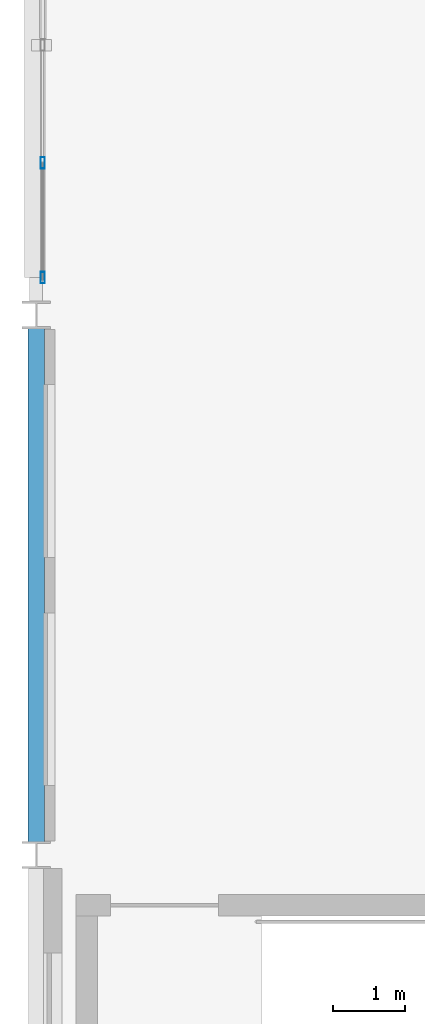
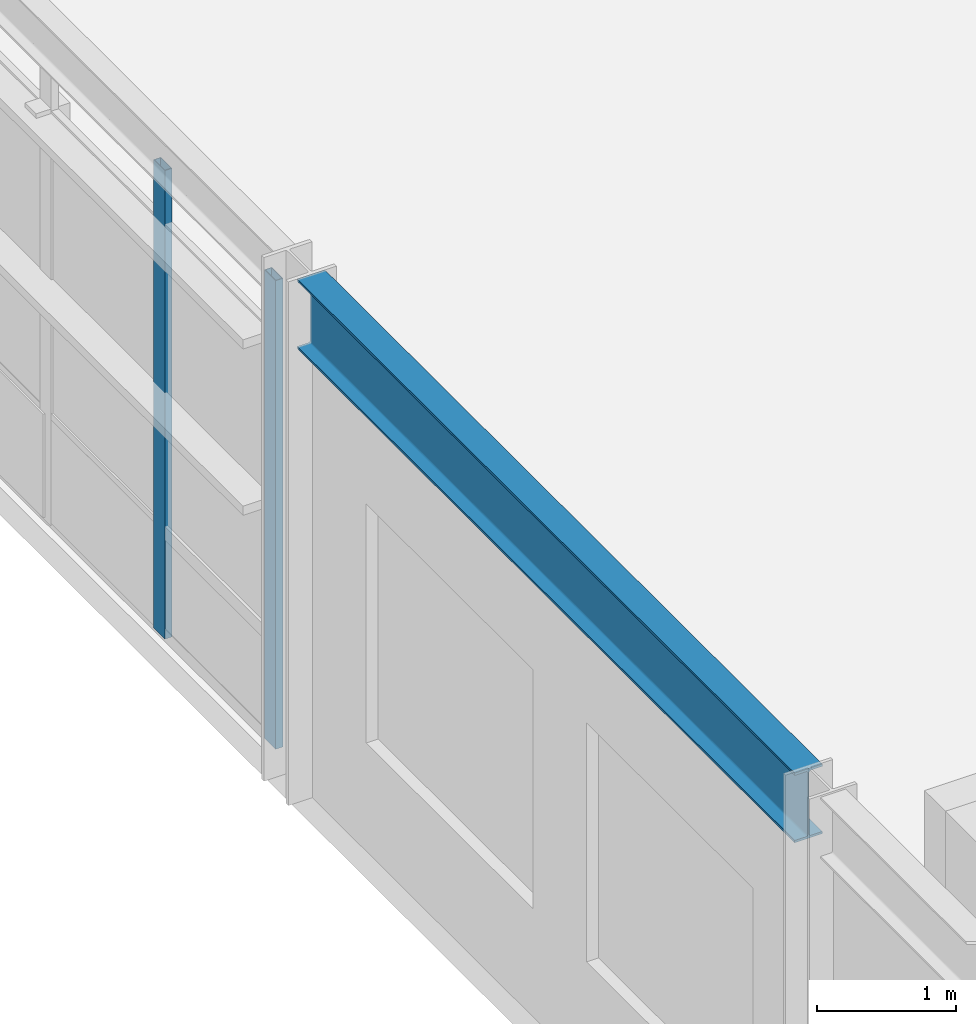
# One storey, part 20 of 200: 2 members, 1 beam, 1 element without a shape of its own.
"""IFC4 building model written with IfcOpenShell, lengths in metres."""

import ifcopenshell
import ifcopenshell.guid

model = None  # the IFC model being written
_history = None  # IfcOwnerHistory: only IFC2X3 demands one
_inside = {}  # id of a spatial element -> (the spatial element, [elements in it])
_under = {}  # id of a project, library or spatial element -> (it, [spatial elements below it])
_declared = {}  # id of a project -> (the project, [libraries it declares])
_typed = {}  # id of a type object -> (the type object, [elements of that type])
_made_of = {}  # id of a material, layer set ... -> (it, [elements and type objects made of it])


def new_model(schema):
    """Start an empty IFC model of exactly this schema.

    Asked for "IFC4X3", IfcOpenShell would pick the latest addendum, in which some entities
    have other attributes; the version numbers below select the first issue.
    IFC2X3 requires an IfcOwnerHistory on every rooted entity: one is made here for all.
    """
    global model, _history
    if schema == "IFC4X3":
        model = ifcopenshell.file(schema_version=(4, 3, 0, 0))
    else:
        model = ifcopenshell.file(schema=schema)
    _inside.clear()
    _under.clear()
    _declared.clear()
    _typed.clear()
    _made_of.clear()
    _history = None
    if model.schema == "IFC2X3":
        org = make("IfcOrganization", Name="unknown")
        user = make(
            "IfcPersonAndOrganization",
            ThePerson=make("IfcPerson", FamilyName="unknown"),
            TheOrganization=org,
        )
        app = make(
            "IfcApplication",
            ApplicationDeveloper=org,
            Version="unknown",
            ApplicationFullName="unknown",
            ApplicationIdentifier="unknown",
        )
        _history = make(
            "IfcOwnerHistory",
            OwningUser=user,
            OwningApplication=app,
            ChangeAction="ADDED",
            CreationDate=0,
        )
    return model


def make(cls, **values):
    """One entity of the class cls with the attributes given. An attribute that is None is left unset."""
    return model.create_entity(
        cls, **{name: value for name, value in values.items() if value is not None}
    )


def rooted(cls, **values):
    """An entity with a GlobalId (a new one), such as an element, a storey or a relation."""
    return make(cls, GlobalId=ifcopenshell.guid.new(), OwnerHistory=_history, **values)


def si_unit(unit_type, name, prefix=None):
    """IfcSIUnit, for example si_unit("LENGTHUNIT", "METRE", prefix="MILLI")."""
    return make("IfcSIUnit", UnitType=unit_type, Prefix=prefix, Name=name)


def assignment(units):
    """IfcUnitAssignment: the units of a project."""
    return None if units is None else make("IfcUnitAssignment", Units=units)


def point(xyz):
    """IfcCartesianPoint."""
    return None if xyz is None else make("IfcCartesianPoint", Coordinates=xyz)


def direction(xyz):
    """IfcDirection."""
    return None if xyz is None else make("IfcDirection", DirectionRatios=xyz)


def frame(location, z_axis=None, x_axis=None):
    """IfcAxis2Placement3D, a coordinate frame: its origin and axes. An axis left out is left unset."""
    return make(
        "IfcAxis2Placement3D",
        Location=point(location),
        Axis=direction(z_axis),
        RefDirection=direction(x_axis),
    )


def frame_2d(location, x_axis=None):
    """IfcAxis2Placement2D, a coordinate frame in the plane: its origin and x axis."""
    return make(
        "IfcAxis2Placement2D", Location=point(location), RefDirection=direction(x_axis)
    )


def origin():
    """The frame at (0, 0, 0) with its axes left unset."""
    return frame((0.0, 0.0, 0.0))


def origin_2d():
    """The frame at (0, 0) in the plane with its x axis left unset."""
    return frame_2d((0.0, 0.0))


def place(relative_to, where):
    """IfcLocalPlacement: puts the frame where relative to a parent placement (None: the world)."""
    return make(
        "IfcLocalPlacement", PlacementRelTo=relative_to, RelativePlacement=where
    )


def context(
    kind, dimensions, precision=None, world=None, true_north=None, identifier=None
):
    """IfcGeometricRepresentationContext, for example the 3D "Model" context."""
    return make(
        "IfcGeometricRepresentationContext",
        ContextIdentifier=identifier,
        ContextType=kind,
        CoordinateSpaceDimension=dimensions,
        Precision=precision,
        WorldCoordinateSystem=world,
        TrueNorth=true_north,
    )


def subcontext(parent, identifier, kind, view, scale=None):
    """IfcGeometricRepresentationSubContext, for example "Body" below "Model"."""
    return make(
        "IfcGeometricRepresentationSubContext",
        ContextIdentifier=identifier,
        ContextType=kind,
        ParentContext=parent,
        TargetScale=scale,
        TargetView=view,
    )


def project(units=None, contexts=None):
    """IfcProject with its units and contexts."""
    return rooted(
        "IfcProject",
        Name="project",
        RepresentationContexts=contexts,
        UnitsInContext=assignment(units),
    )


def spatial(cls, under=None, at=None, **own):
    """A site, building, storey or space (cls), placed at a placement, below another one or the project."""
    s = rooted(cls, ObjectPlacement=at, **own)
    if under is not None:
        _under.setdefault(under.id(), (under, []))[1].append(s)
    return s


def profile(cls, at=None, kind="AREA", **sizes):
    """A parametric profile (cls). Its sizes go by their IFC names, for example OverallWidth=200.0."""
    return make(cls, ProfileType=kind, Position=at, **sizes)


def hollow_rectangle(**sizes):
    """IfcRectangleHollowProfileDef."""
    return profile("IfcRectangleHollowProfileDef", **sizes)


def i_section(**sizes):
    """IfcIShapeProfileDef."""
    return profile("IfcIShapeProfileDef", **sizes)


def extrude(swept, where, along, depth):
    """IfcExtrudedAreaSolid: the profile swept, set in the frame where, extruded along a direction by depth."""
    return make(
        "IfcExtrudedAreaSolid",
        SweptArea=swept,
        Position=where,
        ExtrudedDirection=direction(along),
        Depth=depth,
    )


def shape(context_of_items, identifier, shape_type, items):
    """IfcShapeRepresentation: the items that make up one representation, for example the "Body"."""
    return make(
        "IfcShapeRepresentation",
        ContextOfItems=context_of_items,
        RepresentationIdentifier=identifier,
        RepresentationType=shape_type,
        Items=items,
    )


def material(Name=None, Category=None):
    """IfcMaterial."""
    return make("IfcMaterial", Name=Name, Category=Category)


def material_profile(
    of_material, cross_section, Name=None, Category=None, Priority=None
):
    """IfcMaterialProfile: a cross section and its material."""
    return make(
        "IfcMaterialProfile",
        Name=Name,
        Material=of_material,
        Profile=cross_section,
        Priority=Priority,
        Category=Category,
    )


def profile_set(profiles, Name=None, composite=None):
    """IfcMaterialProfileSet."""
    return make(
        "IfcMaterialProfileSet",
        Name=Name,
        MaterialProfiles=profiles,
        CompositeProfile=composite,
    )


def made_of(thing, what):
    """Note that an element or type object is made of a material, layer set ...; save() writes the relation."""
    if what is not None:
        _made_of.setdefault(what.id(), (what, []))[1].append(thing)
    return thing


def type_object(cls, material=None, **own):
    """A type object (cls), such as IfcWallType, which elements share."""
    return made_of(rooted(cls, **own), material)


def element(
    cls,
    number,
    at=None,
    inside=None,
    cuts=None,
    type_object=None,
    material=None,
    context=None,
    identifier="Body",
    shape_type=None,
    held_by="IfcProductDefinitionShape",
    body=None,
    shapes=None,
    **own,
):
    """One element of the class cls, such as IfcWall. Its Tag is "e" and its number.

    at: its placement. inside: the storey or other place that contains it. cuts: it is an
    opening in that element (IfcRelVoidsElement). A single representation is given by context,
    identifier, shape_type and body (its items); several are given by shapes. held_by: the class
    of the entity that holds the representations. save() writes the other relations.
    """
    e = rooted(cls, Tag="e%d" % number, ObjectPlacement=at, **own)
    if body is not None:
        shapes = [shape(context, identifier, shape_type, body)]
    if shapes is not None:
        e.Representation = make(held_by, Representations=shapes)
    if inside is not None:
        _inside.setdefault(inside.id(), (inside, []))[1].append(e)
    if cuts is not None:
        rooted(
            "IfcRelVoidsElement", RelatingBuildingElement=cuts, RelatedOpeningElement=e
        )
    if type_object is not None:
        _typed.setdefault(type_object.id(), (type_object, []))[1].append(e)
    return made_of(e, material)


def aggregate(whole, parts):
    """IfcRelAggregates: a whole, such as a stair, and the parts it consists of."""
    return rooted("IfcRelAggregates", RelatingObject=whole, RelatedObjects=parts)


def save(model, path):
    """Write the relations noted so far, then the file.

    IfcRelAggregates (storeys below a building ...), IfcRelContainedInSpatialStructure (elements
    in a storey), IfcRelDefinesByType, IfcRelAssociatesMaterial and IfcRelDeclares: one each for
    every whole, place, type object, material and project.
    """
    for whole, parts in _under.values():
        aggregate(whole, parts)
    for where, things in _inside.values():
        rooted(
            "IfcRelContainedInSpatialStructure",
            RelatedElements=things,
            RelatingStructure=where,
        )
    for kind, things in _typed.values():
        rooted("IfcRelDefinesByType", RelatedObjects=things, RelatingType=kind)
    for what, things in _made_of.values():
        rooted("IfcRelAssociatesMaterial", RelatedObjects=things, RelatingMaterial=what)
    for by, libraries in _declared.values():
        rooted("IfcRelDeclares", RelatingContext=by, RelatedDefinitions=libraries)
    model.write(path)


model = new_model("IFC4")

# Units and contexts
model_context = context("Model", 3, precision=1e-05, world=origin(), true_north=direction((0.0, 1.0)))
body_context = subcontext(model_context, "Body", "Model", "MODEL_VIEW")
ifc_project = project(units=[si_unit("LENGTHUNIT", "METRE"), si_unit("AREAUNIT", "SQUARE_METRE"), si_unit("VOLUMEUNIT", "CUBIC_METRE"), si_unit("PLANEANGLEUNIT", "RADIAN"), si_unit("MASSUNIT", "GRAM", prefix="KILO"), si_unit("THERMODYNAMICTEMPERATUREUNIT", "KELVIN"), si_unit("POWERUNIT", "WATT")], contexts=[model_context])

# Site, building, storey
site_placement = place(None, origin())
site = spatial("IfcSite", under=ifc_project, at=site_placement, CompositionType="ELEMENT")
building_placement = place(site_placement, origin())
building = spatial("IfcBuilding", under=site, at=building_placement, Name="Tepalcoro Natatorium and Aquatics Centre", CompositionType="ELEMENT")
storey_placement = place(building_placement, frame((0.0, 0.0, 5.39990234375)))
storey = spatial("IfcBuildingStorey", under=building, at=storey_placement, Name="L01", CompositionType="ELEMENT", Elevation=5.39990234375)

# Curtain wall, members
ifc_material_1 = material(Name="Bronze-Anodised Extruded Aluminium Alloy EN AW-6063 T6", Category="aluminium")
curtain_wall_type = type_object("IfcCurtainWallType", Name="CW_LEAN_T1_EW", PredefinedType="USERDEFINED", material=ifc_material_1)
curtain_wall_placement = place(storey_placement, origin())
curtain_wall = element("IfcCurtainWall", 1, at=curtain_wall_placement, inside=storey, type_object=curtain_wall_type, Name="V3 L01 W Unitised Curtain Wall Bay 3", ObjectType="FACETED SOLAR GLAZING", PredefinedType="USERDEFINED")
ifc_material_profile_1 = material_profile(ifc_material_1, hollow_rectangle(XDim=0.06005859375, YDim=0.159912109375, WallThickness=0.00390625, at=origin_2d()), Name="AL60X160X4")
ifc_profile_set_1 = profile_set([ifc_material_profile_1], Name="Bronze-Anodised Extruded Aluminium Alloy EN AW-6063 T6")
member_type = type_object("IfcMemberType", Name="CW_MUL_60x160", PredefinedType="MULLION", material=ifc_profile_set_1)
member_1_placement = place(storey_placement, frame((0.090087890625, 21.02001953125, 0.02001953125), z_axis=(0.0, 0.0, 1.0), x_axis=(1.0, 0.0, 0.0)))
member_1 = element("IfcMember", 2, at=member_1_placement, type_object=member_type, Name="CW_LEAN_T1_EW Curtain Wall Mullion", PredefinedType="MULLION", context=body_context, shape_type="SweptSolid", body=[
    extrude(hollow_rectangle(XDim=0.06005859375, YDim=0.159912109375, WallThickness=0.00390625, at=origin_2d()), origin(), (0.0, 0.0, 1.0), 4.1171875),
])
member_2_placement = place(storey_placement, frame((0.090087890625, 22.614990234375, 0.02001953125), z_axis=(0.0, 0.0, 1.0), x_axis=(1.0, 0.0, 0.0)))
member_2 = element("IfcMember", 3, at=member_2_placement, type_object=member_type, Name="CW_LEAN_T1_EW Curtain Wall Mullion", PredefinedType="MULLION", context=body_context, shape_type="SweptSolid", body=[
    extrude(hollow_rectangle(XDim=0.06005859375, YDim=0.159912109375, WallThickness=0.00390625, at=origin_2d()), origin(), (0.0, 0.0, 1.0), 4.1171875),
])
aggregate(curtain_wall, [member_1, member_2])

# Beam
ifc_material_2 = material(Name="Steel ASTM A992 Grade 50 (Fy 345 MPa)", Category="steel")
ifc_material_profile_2 = material_profile(ifc_material_2, i_section(OverallWidth=0.22900390625, OverallDepth=0.612060546875, WebThickness=0.011962890625, FlangeThickness=0.02001953125, FilletRadius=0.013916015625, at=origin_2d()), Name="W24X84")
ifc_profile_set_2 = profile_set([ifc_material_profile_2], Name="Steel ASTM A992 Grade 50 (Fy 345 MPa)")
beam_type = type_object("IfcBeamType", Name="SP_W24x84", PredefinedType="SPANDREL", material=ifc_profile_set_2)
beam_placement = place(storey_placement, frame((0.0, 13.1669921875, 4.279052734375), z_axis=(0.0, 1.0, 0.0), x_axis=(-1.0, 0.0, 0.0)))
element("IfcBeam", 4, at=beam_placement, inside=storey, type_object=beam_type, Name="V3 L01 Grid Girder Y", PredefinedType="SPANDREL", context=body_context, shape_type="SweptSolid", body=[
    extrude(i_section(OverallWidth=0.22900390625, OverallDepth=0.612060546875, WebThickness=0.011962890625, FlangeThickness=0.02001953125, FilletRadius=0.013916015625, at=origin_2d()), origin(), (0.0, 0.0, 1.0), 7.160888671875),
])

save(model, "model.ifc")
